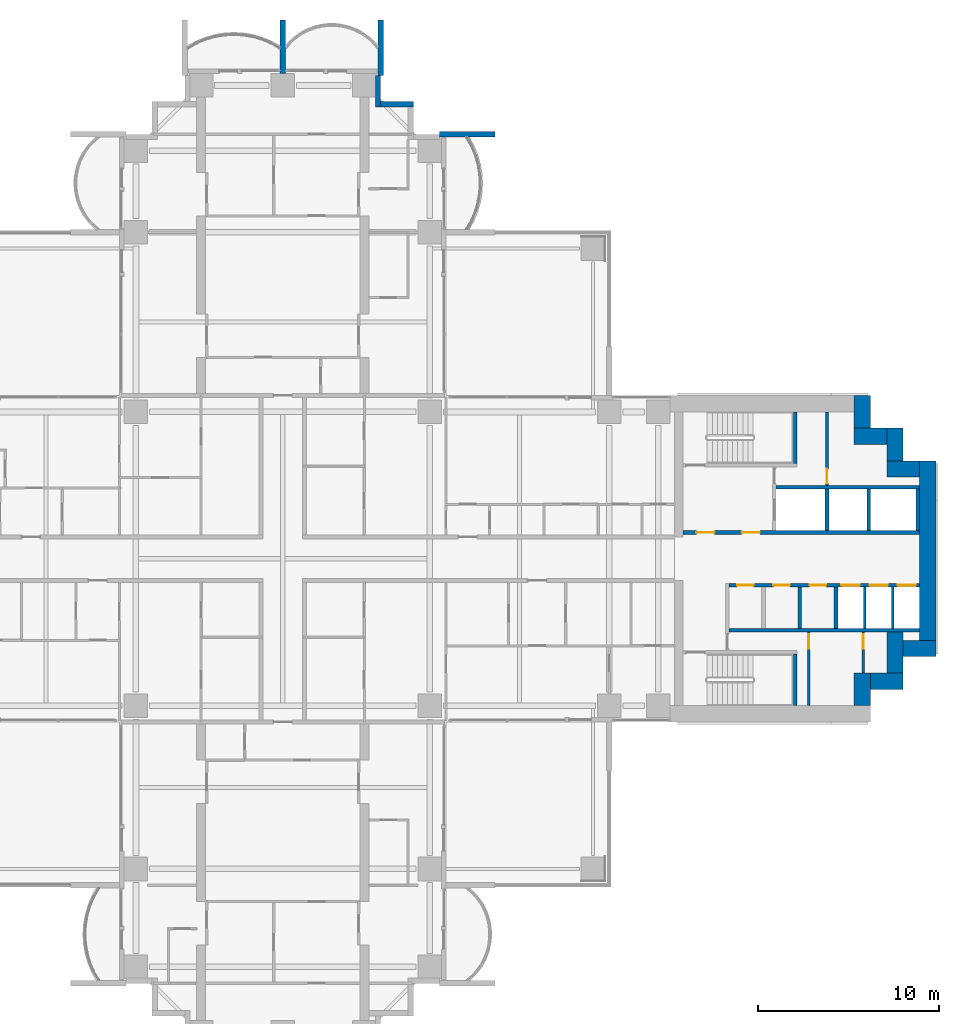
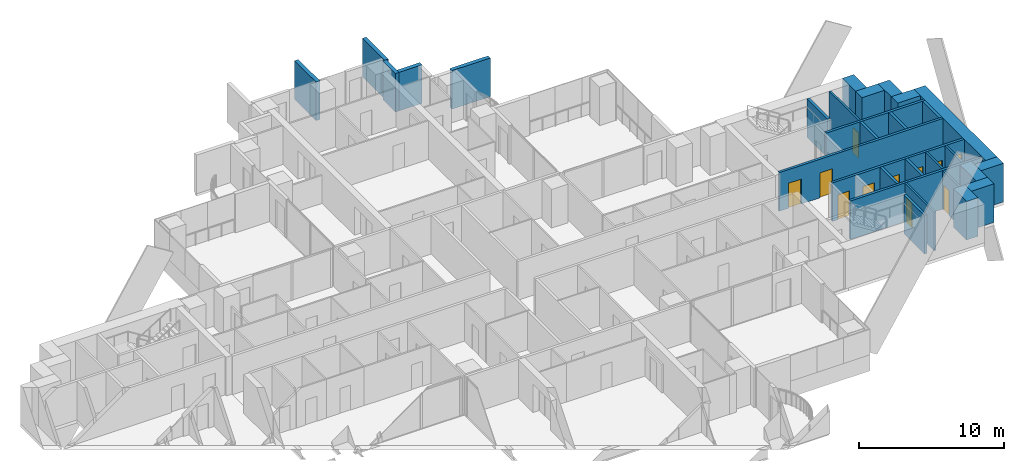
# One storey, part 17 of 23: 30 walls, 11 doors, 11 openings.
"""IFC4 building model written with IfcOpenShell, lengths in metres."""

from ifc_helpers import new_model, si_unit, direction, frame, frame_2d, origin, place, context, subcontext, project, spatial, rectangle, extrude, material, layer, layer_set, type_object, element, fill, save


model = new_model("IFC4")

# Units and contexts
model_context = context("Model", 3, precision=1e-05, world=origin(), true_north=direction((0.0, 1.0)))
body_context = subcontext(model_context, "Body", "Model", "MODEL_VIEW")
ifc_project = project(units=[si_unit("LENGTHUNIT", "METRE"), si_unit("AREAUNIT", "SQUARE_METRE"), si_unit("VOLUMEUNIT", "CUBIC_METRE"), si_unit("PLANEANGLEUNIT", "RADIAN"), si_unit("MASSUNIT", "GRAM", prefix="KILO")], contexts=[model_context])

# Site, building, storey
site_placement = place(None, origin())
site = spatial("IfcSite", under=ifc_project, at=site_placement, CompositionType="ELEMENT")
building_placement = place(site_placement, origin())
building = spatial("IfcBuilding", under=site, at=building_placement, Name="Perihelion Cross Residences", CompositionType="ELEMENT")
storey_placement = place(building_placement, frame((0.0, 0.0, 36.5)))
storey = spatial("IfcBuildingStorey", under=building, at=storey_placement, Name="L05", CompositionType="ELEMENT", Elevation=36.5)

# Walls
ifc_material_1 = material(Name="Concrete C30/37, bronze-clad", Category="concrete")
ifc_layer_1 = layer(ifc_material_1, 0.300048828125)
ifc_layer_set_1 = layer_set([ifc_layer_1], Name="Bronze-clad serration wall 300")
wall_type_1 = type_object("IfcWallType", Name="Bronze-clad serration wall 300", PredefinedType="SOLIDWALL", material=ifc_layer_set_1)
wall_1_placement = place(storey_placement, frame((7.199951171875, 25.050048828125, 0.0), z_axis=(0.0, 0.0, 1.0), x_axis=(-1.0, 0.0, 0.0)))
element("IfcWall", 1, at=wall_1_placement, inside=storey, type_object=wall_type_1, Name="Wall SR1 L05 north corner north-east 3", PredefinedType="SOLIDWALL", context=body_context, shape_type="SweptSolid", body=[
    extrude(rectangle(XDim=1.800048828125, YDim=0.300048828125, at=frame_2d((0.89990234375, 0.0))), origin(), (0.0, 0.0, 1.0), 3.25),
])
wall_2_placement = place(storey_placement, frame((5.25, 24.89990234375, 0.0), z_axis=(0.0, 0.0, 1.0), x_axis=(0.0, 1.0, 0.0)))
element("IfcWall", 2, at=wall_2_placement, inside=storey, type_object=wall_type_1, Name="Wall SR1 L05 north corner north-east 4", PredefinedType="SOLIDWALL", context=body_context, shape_type="SweptSolid", body=[
    extrude(rectangle(XDim=1.75, YDim=0.300048828125, at=frame_2d((0.875, 0.0))), origin(), (0.0, 0.0, 1.0), 3.25),
])
ifc_material_2 = material(Name="Concrete C60/75", Category="concrete")
ifc_layer_2 = layer(ifc_material_2, 0.89990234375)
ifc_layer_set_2 = layer_set([ifc_layer_2], Name="Core wall, outer 900")
wall_type_2 = type_object("IfcWallType", Name="Core wall, outer 900", PredefinedType="SHEAR", material=ifc_layer_set_2)
for number, where, z_axis, x_axis, name in (
    (3, (31.949951171875, -8.10009765625, 0.0), (0.0, 0.0, 1.0), (0.0, 1.0, 0.0), "East core core wall, outer"),
    (4, (32.39990234375, -6.75, 0.0), (0.0, 0.0, 1.0), (1.0, 0.0, 0.0), "East core core wall, outer"),
):
    element("IfcWall", number, at=place(storey_placement, frame(where, z_axis=z_axis, x_axis=x_axis)), inside=storey, type_object=wall_type_2, Name=name, PredefinedType="SHEAR", context=body_context, shape_type="SweptSolid", body=[
        extrude(rectangle(XDim=1.800048828125, YDim=0.89990234375, at=frame_2d((0.89990234375, 0.0))), origin(), (0.0, 0.0, 1.0), 3.25),
    ])
wall_3_placement = place(storey_placement, frame((33.75, -6.300048828125, 0.0), z_axis=(0.0, 0.0, 1.0), x_axis=(0.0, 1.0, 0.0)))
element("IfcWall", 5, at=wall_3_placement, inside=storey, type_object=wall_type_2, Name="East core core wall, outer", PredefinedType="SHEAR", context=body_context, shape_type="SweptSolid", body=[
    extrude(rectangle(XDim=2.25, YDim=0.89990234375, at=frame_2d((1.125, 0.0))), origin(), (0.0, 0.0, 1.0), 3.25),
])
wall_4_placement = place(storey_placement, frame((34.199951171875, -4.949951171875, 0.0), z_axis=(0.0, 0.0, 1.0), x_axis=(1.0, 0.0, 0.0)))
element("IfcWall", 6, at=wall_4_placement, inside=storey, type_object=wall_type_2, Name="East core core wall, outer", PredefinedType="SHEAR", context=body_context, shape_type="SweptSolid", body=[
    extrude(rectangle(XDim=1.800048828125, YDim=0.89990234375, at=frame_2d((0.89990234375, 0.0))), origin(), (0.0, 0.0, 1.0), 3.25),
])
wall_5_placement = place(storey_placement, frame((35.550048828125, -4.5, 0.0), z_axis=(0.0, 0.0, 1.0), x_axis=(0.0, 1.0, 0.0)))
element("IfcWall", 7, at=wall_5_placement, inside=storey, type_object=wall_type_2, Name="East core core wall, outer", PredefinedType="SHEAR", context=body_context, shape_type="SweptSolid", body=[
    extrude(rectangle(XDim=9.89990234375, YDim=0.89990234375, at=frame_2d((4.949951171875, 0.0))), origin(), (0.0, 0.0, 1.0), 3.25),
])
for number, where, z_axis, x_axis, name in (
    (8, (33.300048828125, 4.949951171875, 0.0), (0.0, 0.0, 1.0), (1.0, 0.0, 0.0), "East core core wall, outer"),
    (9, (33.75, 5.39990234375, 0.0), (0.0, 0.0, 1.0), (0.0, 1.0, 0.0), "East core core wall, outer"),
    (10, (31.5, 6.75, 0.0), (0.0, 0.0, 1.0), (1.0, 0.0, 0.0), "East core core wall, outer"),
    (11, (31.949951171875, 7.199951171875, 0.0), (0.0, 0.0, 1.0), (0.0, 1.0, 0.0), "East core core wall, outer"),
):
    element("IfcWall", number, at=place(storey_placement, frame(where, z_axis=z_axis, x_axis=x_axis)), inside=storey, type_object=wall_type_2, Name=name, PredefinedType="SHEAR", context=body_context, shape_type="SweptSolid", body=[
        extrude(rectangle(XDim=1.800048828125, YDim=0.89990234375, at=frame_2d((0.89990234375, 0.0))), origin(), (0.0, 0.0, 1.0), 3.25),
    ])
ifc_material_3 = material(Name="Precast concrete C50/60", Category="concrete")
ifc_layer_3 = layer(ifc_material_3, 0.300048828125)
ifc_layer_set_3 = layer_set([ifc_layer_3], Name="Precast concrete C50/60 blade wall 300")
wall_type_3 = type_object("IfcWallType", Name="Precast concrete C50/60 blade wall 300", PredefinedType="SOLIDWALL", material=ifc_layer_set_3)
wall_6_placement = place(storey_placement, frame((0.0, 26.75, 0.0), z_axis=(0.0, 0.0, 1.0), x_axis=(0.0, 1.0, 0.0)))
element("IfcWall", 12, at=wall_6_placement, inside=storey, type_object=wall_type_3, Name="Wall BL1 L05 no. 10", PredefinedType="SOLIDWALL", context=body_context, shape_type="SweptSolid", body=[
    extrude(rectangle(XDim=2.949951171875, YDim=0.300048828125, at=frame_2d((1.47509765625, 0.0))), origin(), (0.0, 0.0, 1.0), 3.25),
])
for number, where, z_axis, x_axis, name in (
    (13, (5.39990234375, 26.64990234375, 0.0), (0.0, 0.0, 1.0), (0.0, 1.0, 0.0), "Wall BL1 L05 no. 14"),
    (14, (8.64990234375, 23.39990234375, 0.0), (0.0, 0.0, 1.0), (1.0, 0.0, 0.0), "Wall BL1 L05 no. 18"),
):
    element("IfcWall", number, at=place(storey_placement, frame(where, z_axis=z_axis, x_axis=x_axis)), inside=storey, type_object=wall_type_3, Name=name, PredefinedType="SOLIDWALL", context=body_context, shape_type="SweptSolid", body=[
        extrude(rectangle(XDim=3.050048828125, YDim=0.300048828125, at=frame_2d((1.52490234375, 0.0))), origin(), (0.0, 0.0, 1.0), 3.25),
    ])

# Wall, opening, door
ifc_material_4 = material(Name="Fire-rated board on steel stud", Category="steel")
ifc_layer_4 = layer(ifc_material_4, 0.14990234375)
ifc_layer_set_4 = layer_set([ifc_layer_4], Name="Riser wall 150")
wall_type_4 = type_object("IfcWallType", Name="Riser wall 150", PredefinedType="PARTITIONING", material=ifc_layer_set_4)
wall_7_placement = place(storey_placement, frame((30.0, 4.050048828125, 0.0), z_axis=(0.0, 0.0, 1.0), x_axis=(0.0, 1.0, 0.0)))
wall_7 = element("IfcWall", 15, at=wall_7_placement, inside=storey, type_object=wall_type_4, Name="East core riser wall", PredefinedType="PARTITIONING", context=body_context, shape_type="SweptSolid", body=[
    extrude(rectangle(XDim=4.050048828125, YDim=0.14990234375, at=frame_2d((2.02490234375, 0.0))), origin(), (0.0, 0.0, 1.0), 3.25),
])
opening_1_placement = place(wall_7_placement, frame((0.10009765625, 0.0, 0.0)))
opening_1 = element("IfcOpeningElement", 16, at=opening_1_placement, cuts=wall_7, Name="Opening L05.C15", PredefinedType="OPENING", context=body_context, shape_type="SweptSolid", body=[
    extrude(rectangle(XDim=0.800048828125, YDim=2.10009765625, at=frame_2d((0.39990234375, 1.050048828125))), frame((0.0, 0.0849609375, 0.0), z_axis=(0.0, -1.0, 0.0), x_axis=(1.0, 0.0, 0.0)), (0.0, 0.0, 1.0), 0.169921875),
])
ifc_material_5 = material(Name="Steel, powder coated", Category="steel")
door_type_1 = type_object("IfcDoorType", Name="Riser door 800", OperationType="SINGLE_SWING_LEFT", PredefinedType="DOOR", material=ifc_material_5)
door_1_placement = place(opening_1_placement, origin())
door_1 = element("IfcDoor", 17, at=door_1_placement, inside=storey, type_object=door_type_1, Name="East core riser door", OperationType="SINGLE_SWING_LEFT", OverallHeight=2.10009765625, OverallWidth=0.800048828125, PredefinedType="DOOR", context=body_context, shape_type="SweptSolid", body=[
    extrude(rectangle(XDim=0.800048828125, YDim=2.10009765625, at=frame_2d((0.39990234375, 1.050048828125))), frame((0.0, 0.02490234375, 0.0), z_axis=(0.0, -1.0, 0.0), x_axis=(1.0, 0.0, 0.0)), (0.0, 0.0, 1.0), 0.050048828125),
])
fill(opening_1, door_1)

wall_8_placement = place(storey_placement, frame((29.0, -8.10009765625, 0.0), z_axis=(0.0, 0.0, 1.0), x_axis=(0.0, 1.0, 0.0)))
wall_8 = element("IfcWall", 18, at=wall_8_placement, inside=storey, type_object=wall_type_4, Name="East core riser wall", PredefinedType="PARTITIONING", context=body_context, shape_type="SweptSolid", body=[
    extrude(rectangle(XDim=4.050048828125, YDim=0.14990234375, at=frame_2d((2.02490234375, 0.0))), origin(), (0.0, 0.0, 1.0), 3.25),
])
opening_2_placement = place(wall_8_placement, frame((3.14990234375, 0.0, 0.0)))
opening_2 = element("IfcOpeningElement", 19, at=opening_2_placement, cuts=wall_8, Name="Opening L05.C13", PredefinedType="OPENING", context=body_context, shape_type="SweptSolid", body=[
    extrude(rectangle(XDim=0.800048828125, YDim=2.10009765625, at=frame_2d((0.39990234375, 1.050048828125))), frame((0.0, 0.0849609375, 0.0), z_axis=(0.0, -1.0, 0.0), x_axis=(1.0, 0.0, 0.0)), (0.0, 0.0, 1.0), 0.169921875),
])
door_2_placement = place(opening_2_placement, origin())
door_2 = element("IfcDoor", 20, at=door_2_placement, inside=storey, type_object=door_type_1, Name="East core riser door", OperationType="SINGLE_SWING_LEFT", OverallHeight=2.10009765625, OverallWidth=0.800048828125, PredefinedType="DOOR", context=body_context, shape_type="SweptSolid", body=[
    extrude(rectangle(XDim=0.800048828125, YDim=2.10009765625, at=frame_2d((0.39990234375, 1.050048828125))), frame((0.0, 0.02490234375, 0.0), z_axis=(0.0, -1.0, 0.0), x_axis=(1.0, 0.0, 0.0)), (0.0, 0.0, 1.0), 0.050048828125),
])
fill(opening_2, door_2)

wall_9_placement = place(storey_placement, frame((32.0, -6.300048828125, 0.0), z_axis=(0.0, 0.0, 1.0), x_axis=(0.0, 1.0, 0.0)))
wall_9 = element("IfcWall", 21, at=wall_9_placement, inside=storey, type_object=wall_type_4, Name="East core riser wall", PredefinedType="PARTITIONING", context=body_context, shape_type="SweptSolid", body=[
    extrude(rectangle(XDim=2.25, YDim=0.14990234375, at=frame_2d((1.125, 0.0))), origin(), (0.0, 0.0, 1.0), 3.25),
])
opening_3_placement = place(wall_9_placement, frame((1.35009765625, 0.0, 0.0)))
opening_3 = element("IfcOpeningElement", 22, at=opening_3_placement, cuts=wall_9, Name="Opening L05.C16", PredefinedType="OPENING", context=body_context, shape_type="SweptSolid", body=[
    extrude(rectangle(XDim=0.800048828125, YDim=2.10009765625, at=frame_2d((0.39990234375, 1.050048828125))), frame((0.0, 0.0849609375, 0.0), z_axis=(0.0, -1.0, 0.0), x_axis=(1.0, 0.0, 0.0)), (0.0, 0.0, 1.0), 0.169921875),
])
door_3_placement = place(opening_3_placement, origin())
door_3 = element("IfcDoor", 23, at=door_3_placement, inside=storey, type_object=door_type_1, Name="East core riser door", OperationType="SINGLE_SWING_LEFT", OverallHeight=2.10009765625, OverallWidth=0.800048828125, PredefinedType="DOOR", context=body_context, shape_type="SweptSolid", body=[
    extrude(rectangle(XDim=0.800048828125, YDim=2.10009765625, at=frame_2d((0.39990234375, 1.050048828125))), frame((0.0, 0.02490234375, 0.0), z_axis=(0.0, -1.0, 0.0), x_axis=(1.0, 0.0, 0.0)), (0.0, 0.0, 1.0), 0.050048828125),
])
fill(opening_3, door_3)

# Walls
ifc_material_6 = material(Name="Fire-rated board on steel stud", Category="steel")
ifc_layer_5 = layer(ifc_material_6, 0.199951171875)
ifc_layer_set_5 = layer_set([ifc_layer_5], Name="Riser wall 200")
wall_type_5 = type_object("IfcWallType", Name="Riser wall 200", PredefinedType="PARTITIONING", material=ifc_layer_set_5)
wall_10_placement = place(storey_placement, frame((28.5, -3.85009765625, 0.0), z_axis=(0.0, 0.0, 1.0), x_axis=(0.0, 1.0, 0.0)))
element("IfcWall", 24, at=wall_10_placement, inside=storey, type_object=wall_type_5, Name="East core riser wall", PredefinedType="PARTITIONING", context=body_context, shape_type="SweptSolid", body=[
    extrude(rectangle(XDim=2.300048828125, YDim=0.199951171875, at=frame_2d((1.14990234375, 0.0))), origin(), (0.0, 0.0, 1.0), 3.25),
])
ifc_material_7 = material(Name="Concrete C50/60", Category="concrete")
ifc_layer_6 = layer(ifc_material_7, 0.14990234375)
ifc_layer_set_6 = layer_set([ifc_layer_6], Name="Shaft wall 150")
wall_type_6 = type_object("IfcWallType", Name="Shaft wall 150", PredefinedType="SOLIDWALL", material=ifc_layer_set_6)
for number, where, z_axis, x_axis, name in (
    (25, (32.074951171875, -3.85009765625, 0.0), (0.0, 0.0, 1.0), (0.0, 1.0, 0.0), "East core shaft wall"),
    (26, (33.625, -3.85009765625, 0.0), (0.0, 0.0, 1.0), (0.0, 1.0, 0.0), "East core shaft wall"),
):
    element("IfcWall", number, at=place(storey_placement, frame(where, z_axis=z_axis, x_axis=x_axis)), inside=storey, type_object=wall_type_6, Name=name, PredefinedType="SOLIDWALL", context=body_context, shape_type="SweptSolid", body=[
        extrude(rectangle(XDim=2.300048828125, YDim=0.14990234375, at=frame_2d((1.14990234375, 0.0))), origin(), (0.0, 0.0, 1.0), 3.25),
    ])

# Wall, openings, doors
ifc_material_8 = material(Name="Concrete C50/60", Category="concrete")
ifc_layer_7 = layer(ifc_material_8, 0.199951171875)
ifc_layer_set_7 = layer_set([ifc_layer_7], Name="Shaft wall 200")
wall_type_7 = type_object("IfcWallType", Name="Shaft wall 200", PredefinedType="SOLIDWALL", material=ifc_layer_set_7)
wall_11_placement = place(storey_placement, frame((22.050048828125, 1.449951171875, 0.0), z_axis=(0.0, 0.0, 1.0), x_axis=(1.0, 0.0, 0.0)))
wall_11 = element("IfcWall", 27, at=wall_11_placement, inside=storey, type_object=wall_type_7, Name="East core shaft wall", PredefinedType="SOLIDWALL", context=body_context, shape_type="SweptSolid", body=[
    extrude(rectangle(XDim=13.050048828125, YDim=0.199951171875, at=frame_2d((6.52490234375, 0.0))), origin(), (0.0, 0.0, 1.0), 3.25),
])
opening_4_placement = place(wall_11_placement, frame((0.75, 0.0, 0.0)))
opening_4 = element("IfcOpeningElement", 28, at=opening_4_placement, cuts=wall_11, Name="Opening L05.C07", PredefinedType="OPENING", context=body_context, shape_type="SweptSolid", body=[
    extrude(rectangle(XDim=1.0, YDim=2.10009765625, at=frame_2d((0.5, 1.050048828125))), frame((0.0, 0.10986328125, 0.0), z_axis=(0.0, -1.0, 0.0), x_axis=(1.0, 0.0, 0.0)), (0.0, 0.0, 1.0), 0.219970703125),
])
opening_5_placement = place(wall_11_placement, frame((3.25, 0.0, 0.0)))
opening_5 = element("IfcOpeningElement", 29, at=opening_5_placement, cuts=wall_11, Name="Opening L05.C10", PredefinedType="OPENING", context=body_context, shape_type="SweptSolid", body=[
    extrude(rectangle(XDim=1.0, YDim=2.10009765625, at=frame_2d((0.5, 1.050048828125))), frame((0.0, 0.10986328125, 0.0), z_axis=(0.0, -1.0, 0.0), x_axis=(1.0, 0.0, 0.0)), (0.0, 0.0, 1.0), 0.219970703125),
])
ifc_material_9 = material(Name="Steel, powder coated", Category="steel")
door_type_2 = type_object("IfcDoorType", Name="Lobby door 1000", OperationType="SINGLE_SWING_LEFT", PredefinedType="DOOR", material=ifc_material_9)
door_4_placement = place(opening_4_placement, origin())
door_4 = element("IfcDoor", 30, at=door_4_placement, inside=storey, type_object=door_type_2, Name="East core firefighting lobby door", OperationType="SINGLE_SWING_LEFT", OverallHeight=2.10009765625, OverallWidth=1.0, PredefinedType="DOOR", context=body_context, shape_type="SweptSolid", body=[
    extrude(rectangle(XDim=1.0, YDim=2.10009765625, at=frame_2d((0.5, 1.050048828125))), frame((0.0, 0.02490234375, 0.0), z_axis=(0.0, -1.0, 0.0), x_axis=(1.0, 0.0, 0.0)), (0.0, 0.0, 1.0), 0.050048828125),
])
fill(opening_4, door_4)
door_5_placement = place(opening_5_placement, origin())
door_5 = element("IfcDoor", 31, at=door_5_placement, inside=storey, type_object=door_type_2, Name="East core firefighting lobby door", OperationType="SINGLE_SWING_LEFT", OverallHeight=2.10009765625, OverallWidth=1.0, PredefinedType="DOOR", context=body_context, shape_type="SweptSolid", body=[
    extrude(rectangle(XDim=1.0, YDim=2.10009765625, at=frame_2d((0.5, 1.050048828125))), frame((0.0, 0.02490234375, 0.0), z_axis=(0.0, -1.0, 0.0), x_axis=(1.0, 0.0, 0.0)), (0.0, 0.0, 1.0), 0.050048828125),
])
fill(opening_5, door_5)

wall_12_placement = place(storey_placement, frame((24.60009765625, -1.449951171875, 0.0), z_axis=(0.0, 0.0, 1.0), x_axis=(1.0, 0.0, 0.0)))
wall_12 = element("IfcWall", 32, at=wall_12_placement, inside=storey, type_object=wall_type_7, Name="East core shaft wall", PredefinedType="SOLIDWALL", context=body_context, shape_type="SweptSolid", body=[
    extrude(rectangle(XDim=10.5, YDim=0.199951171875, at=frame_2d((5.25, 0.0))), origin(), (0.0, 0.0, 1.0), 3.25),
])
opening_6_placement = place(wall_12_placement, frame((6.199951171875, 0.0, 0.0)))
opening_6 = element("IfcOpeningElement", 33, at=opening_6_placement, cuts=wall_12, Name="Opening L05.C02", PredefinedType="OPENING", context=body_context, shape_type="SweptSolid", body=[
    extrude(rectangle(XDim=1.0, YDim=2.10009765625, at=frame_2d((0.5, 1.050048828125))), frame((0.0, 0.10986328125, 0.0), z_axis=(0.0, -1.0, 0.0), x_axis=(1.0, 0.0, 0.0)), (0.0, 0.0, 1.0), 0.219970703125),
])
opening_7_placement = place(wall_12_placement, frame((7.75, 0.0, 0.0)))
opening_7 = element("IfcOpeningElement", 34, at=opening_7_placement, cuts=wall_12, Name="Opening L05.C03", PredefinedType="OPENING", context=body_context, shape_type="SweptSolid", body=[
    extrude(rectangle(XDim=1.0, YDim=2.10009765625, at=frame_2d((0.5, 1.050048828125))), frame((0.0, 0.10986328125, 0.0), z_axis=(0.0, -1.0, 0.0), x_axis=(1.0, 0.0, 0.0)), (0.0, 0.0, 1.0), 0.219970703125),
])
opening_8_placement = place(wall_12_placement, frame((9.300048828125, 0.0, 0.0)))
opening_8 = element("IfcOpeningElement", 35, at=opening_8_placement, cuts=wall_12, Name="Opening L05.C04", PredefinedType="OPENING", context=body_context, shape_type="SweptSolid", body=[
    extrude(rectangle(XDim=1.0, YDim=2.10009765625, at=frame_2d((0.5, 1.050048828125))), frame((0.0, 0.10986328125, 0.0), z_axis=(0.0, -1.0, 0.0), x_axis=(1.0, 0.0, 0.0)), (0.0, 0.0, 1.0), 0.219970703125),
])
opening_9_placement = place(wall_12_placement, frame((0.449951171875, 0.0, 0.0)))
opening_9 = element("IfcOpeningElement", 36, at=opening_9_placement, cuts=wall_12, Name="Opening L05.C09", PredefinedType="OPENING", context=body_context, shape_type="SweptSolid", body=[
    extrude(rectangle(XDim=0.89990234375, YDim=2.10009765625, at=frame_2d((0.449951171875, 1.050048828125))), frame((0.0, 0.10986328125, 0.0), z_axis=(0.0, -1.0, 0.0), x_axis=(1.0, 0.0, 0.0)), (0.0, 0.0, 1.0), 0.219970703125),
])
opening_10_placement = place(wall_12_placement, frame((2.449951171875, 0.0, 0.0)))
opening_10 = element("IfcOpeningElement", 37, at=opening_10_placement, cuts=wall_12, Name="Opening L05.C12", PredefinedType="OPENING", context=body_context, shape_type="SweptSolid", body=[
    extrude(rectangle(XDim=0.89990234375, YDim=2.10009765625, at=frame_2d((0.449951171875, 1.050048828125))), frame((0.0, 0.10986328125, 0.0), z_axis=(0.0, -1.0, 0.0), x_axis=(1.0, 0.0, 0.0)), (0.0, 0.0, 1.0), 0.219970703125),
])
opening_11_placement = place(wall_12_placement, frame((4.449951171875, 0.0, 0.0)))
opening_11 = element("IfcOpeningElement", 38, at=opening_11_placement, cuts=wall_12, Name="Opening L05.C14", PredefinedType="OPENING", context=body_context, shape_type="SweptSolid", body=[
    extrude(rectangle(XDim=0.89990234375, YDim=2.10009765625, at=frame_2d((0.449951171875, 1.050048828125))), frame((0.0, 0.10986328125, 0.0), z_axis=(0.0, -1.0, 0.0), x_axis=(1.0, 0.0, 0.0)), (0.0, 0.0, 1.0), 0.219970703125),
])
ifc_material_10 = material(Name="Stainless steel", Category="steel")
door_type_3 = type_object("IfcDoorType", Name="Landing door 1000", OperationType="DOUBLE_DOOR_SLIDING", PredefinedType="DOOR", material=ifc_material_10)
door_6_placement = place(opening_6_placement, origin())
door_6 = element("IfcDoor", 39, at=door_6_placement, inside=storey, type_object=door_type_3, Name="Landing door, East core low-rise lift 1", OperationType="DOUBLE_DOOR_SLIDING", OverallHeight=2.10009765625, OverallWidth=1.0, PredefinedType="DOOR", context=body_context, shape_type="SweptSolid", body=[
    extrude(rectangle(XDim=1.0, YDim=2.10009765625, at=frame_2d((0.5, 1.050048828125))), frame((0.0, 0.02490234375, 0.0), z_axis=(0.0, -1.0, 0.0), x_axis=(1.0, 0.0, 0.0)), (0.0, 0.0, 1.0), 0.050048828125),
])
fill(opening_6, door_6)
door_7_placement = place(opening_7_placement, origin())
door_7 = element("IfcDoor", 40, at=door_7_placement, inside=storey, type_object=door_type_3, Name="Landing door, East core low-rise lift 2", OperationType="DOUBLE_DOOR_SLIDING", OverallHeight=2.10009765625, OverallWidth=1.0, PredefinedType="DOOR", context=body_context, shape_type="SweptSolid", body=[
    extrude(rectangle(XDim=1.0, YDim=2.10009765625, at=frame_2d((0.5, 1.050048828125))), frame((0.0, 0.02490234375, 0.0), z_axis=(0.0, -1.0, 0.0), x_axis=(1.0, 0.0, 0.0)), (0.0, 0.0, 1.0), 0.050048828125),
])
fill(opening_7, door_7)
door_8_placement = place(opening_8_placement, origin())
door_8 = element("IfcDoor", 41, at=door_8_placement, inside=storey, type_object=door_type_3, Name="Landing door, East core low-rise lift 3", OperationType="DOUBLE_DOOR_SLIDING", OverallHeight=2.10009765625, OverallWidth=1.0, PredefinedType="DOOR", context=body_context, shape_type="SweptSolid", body=[
    extrude(rectangle(XDim=1.0, YDim=2.10009765625, at=frame_2d((0.5, 1.050048828125))), frame((0.0, 0.02490234375, 0.0), z_axis=(0.0, -1.0, 0.0), x_axis=(1.0, 0.0, 0.0)), (0.0, 0.0, 1.0), 0.050048828125),
])
fill(opening_8, door_8)
ifc_material_11 = material(Name="Steel, powder coated", Category="steel")
door_type_4 = type_object("IfcDoorType", Name="Service room door 900", OperationType="SINGLE_SWING_LEFT", PredefinedType="DOOR", material=ifc_material_11)
door_9_placement = place(opening_9_placement, origin())
door_9 = element("IfcDoor", 42, at=door_9_placement, inside=storey, type_object=door_type_4, Name="East core service room door", OperationType="SINGLE_SWING_LEFT", OverallHeight=2.10009765625, OverallWidth=0.89990234375, PredefinedType="DOOR", context=body_context, shape_type="SweptSolid", body=[
    extrude(rectangle(XDim=0.89990234375, YDim=2.10009765625, at=frame_2d((0.449951171875, 1.050048828125))), frame((0.0, 0.02490234375, 0.0), z_axis=(0.0, -1.0, 0.0), x_axis=(1.0, 0.0, 0.0)), (0.0, 0.0, 1.0), 0.050048828125),
])
fill(opening_9, door_9)
door_10_placement = place(opening_10_placement, origin())
door_10 = element("IfcDoor", 43, at=door_10_placement, inside=storey, type_object=door_type_4, Name="East core service room door", OperationType="SINGLE_SWING_LEFT", OverallHeight=2.10009765625, OverallWidth=0.89990234375, PredefinedType="DOOR", context=body_context, shape_type="SweptSolid", body=[
    extrude(rectangle(XDim=0.89990234375, YDim=2.10009765625, at=frame_2d((0.449951171875, 1.050048828125))), frame((0.0, 0.02490234375, 0.0), z_axis=(0.0, -1.0, 0.0), x_axis=(1.0, 0.0, 0.0)), (0.0, 0.0, 1.0), 0.050048828125),
])
fill(opening_10, door_10)
door_11_placement = place(opening_11_placement, origin())
door_11 = element("IfcDoor", 44, at=door_11_placement, inside=storey, type_object=door_type_4, Name="East core service room door", OperationType="SINGLE_SWING_LEFT", OverallHeight=2.10009765625, OverallWidth=0.89990234375, PredefinedType="DOOR", context=body_context, shape_type="SweptSolid", body=[
    extrude(rectangle(XDim=0.89990234375, YDim=2.10009765625, at=frame_2d((0.449951171875, 1.050048828125))), frame((0.0, 0.02490234375, 0.0), z_axis=(0.0, -1.0, 0.0), x_axis=(1.0, 0.0, 0.0)), (0.0, 0.0, 1.0), 0.050048828125),
])
fill(opening_11, door_11)

# Walls
wall_13_placement = place(storey_placement, frame((27.199951171875, 3.949951171875, 0.0), z_axis=(0.0, 0.0, 1.0), x_axis=(1.0, 0.0, 0.0)))
element("IfcWall", 45, at=wall_13_placement, inside=storey, type_object=wall_type_7, Name="East core shaft wall", PredefinedType="SOLIDWALL", context=body_context, shape_type="SweptSolid", body=[
    extrude(rectangle(XDim=7.900146484375, YDim=0.199951171875, at=frame_2d((3.9501953125, 0.0))), origin(), (0.0, 0.0, 1.0), 3.25),
])
wall_14_placement = place(storey_placement, frame((24.60009765625, -3.949951171875, 0.0), z_axis=(0.0, 0.0, 1.0), x_axis=(1.0, 0.0, 0.0)))
element("IfcWall", 46, at=wall_14_placement, inside=storey, type_object=wall_type_7, Name="East core shaft wall", PredefinedType="SOLIDWALL", context=body_context, shape_type="SweptSolid", body=[
    extrude(rectangle(XDim=10.5, YDim=0.199951171875, at=frame_2d((5.25, 0.0))), origin(), (0.0, 0.0, 1.0), 3.25),
])
for number, where, z_axis, x_axis, name in (
    (47, (30.0, 1.550048828125, 0.0), (0.0, 0.0, 1.0), (0.0, 1.0, 0.0), "East core shaft wall"),
    (48, (32.300048828125, 1.550048828125, 0.0), (0.0, 0.0, 1.0), (0.0, 1.0, 0.0), "East core shaft wall"),
    (49, (35.0, 1.550048828125, 0.0), (0.0, 0.0, 1.0), (0.0, 1.0, 0.0), "East core shaft wall"),
    (50, (30.5, -3.85009765625, 0.0), (0.0, 0.0, 1.0), (0.0, 1.0, 0.0), "East core shaft wall"),
):
    element("IfcWall", number, at=place(storey_placement, frame(where, z_axis=z_axis, x_axis=x_axis)), inside=storey, type_object=wall_type_7, Name=name, PredefinedType="SOLIDWALL", context=body_context, shape_type="SweptSolid", body=[
        extrude(rectangle(XDim=2.300048828125, YDim=0.199951171875, at=frame_2d((1.14990234375, 0.0))), origin(), (0.0, 0.0, 1.0), 3.25),
    ])
ifc_material_12 = material(Name="Concrete C50/60", Category="concrete")
ifc_layer_8 = layer(ifc_material_12, 0.199951171875)
ifc_layer_set_8 = layer_set([ifc_layer_8], Name="Stair wall 200")
wall_type_8 = type_object("IfcWallType", Name="Stair wall 200", PredefinedType="SOLIDWALL", material=ifc_layer_set_8)
for number, where, z_axis, x_axis, name in (
    (51, (28.25, 5.25, 0.0), (0.0, 0.0, 1.0), (0.0, 1.0, 0.0), "East core stair wall"),
    (52, (28.25, -8.10009765625, 0.0), (0.0, 0.0, 1.0), (0.0, 1.0, 0.0), "East core stair wall"),
):
    element("IfcWall", number, at=place(storey_placement, frame(where, z_axis=z_axis, x_axis=x_axis)), inside=storey, type_object=wall_type_8, Name=name, PredefinedType="SOLIDWALL", context=body_context, shape_type="SweptSolid", body=[
        extrude(rectangle(XDim=2.85009765625, YDim=0.199951171875, at=frame_2d((1.425048828125, 0.0))), origin(), (0.0, 0.0, 1.0), 3.25),
    ])

save(model, "model.ifc")
